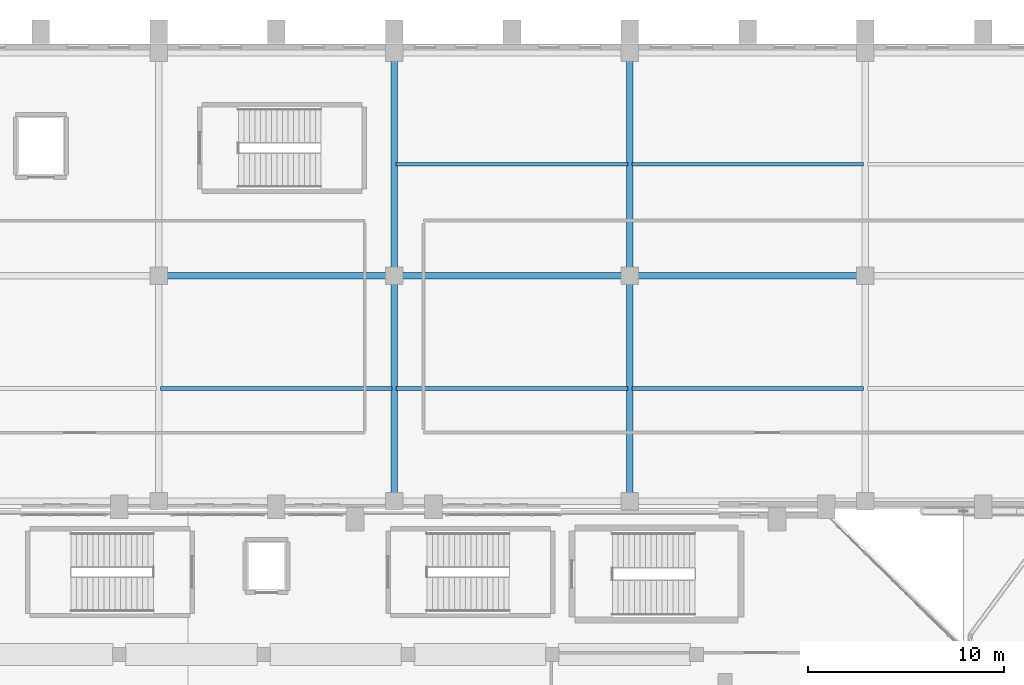
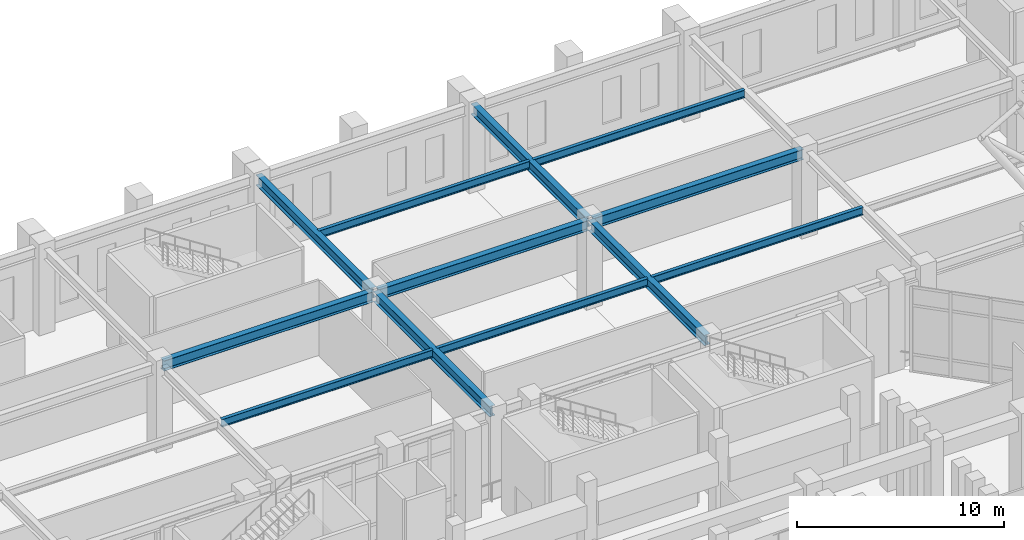
# One storey, part 57 of 159: 12 beams.
"""IFC4 building model written with IfcOpenShell, lengths in metres."""

from ifc_helpers import new_model, si_unit, derived_unit, direction, frame, origin, origin_2d, place, context, subcontext, project, spatial, i_section, extrude, material, material_profile, profile_set, type_object, element, save


model = new_model("IFC4")

# Units and contexts
model_context = context("Model", 3, precision=1e-05, world=origin(), true_north=direction((0.0, 1.0)))
body_context = subcontext(model_context, "Body", "Model", "MODEL_VIEW")
ifc_project = project(units=[si_unit("LENGTHUNIT", "METRE"), si_unit("AREAUNIT", "SQUARE_METRE"), si_unit("VOLUMEUNIT", "CUBIC_METRE"), si_unit("PLANEANGLEUNIT", "RADIAN"), si_unit("MASSUNIT", "GRAM", prefix="KILO"), derived_unit("THERMALTRANSMITTANCEUNIT", [(si_unit("MASSUNIT", "GRAM", prefix="KILO"), 1), (si_unit("TIMEUNIT", "SECOND"), -3), (si_unit("THERMODYNAMICTEMPERATUREUNIT", "KELVIN"), -1)])], contexts=[model_context])

# Site, building, storey
site_placement = place(None, origin())
site = spatial("IfcSite", under=ifc_project, at=site_placement, CompositionType="ELEMENT")
building_placement = place(site_placement, origin())
building = spatial("IfcBuilding", under=site, at=building_placement, Name="Valcora Ridge Arena", CompositionType="ELEMENT")
storey_placement = place(building_placement, frame((0.0, 0.0, 6.0)))
storey = spatial("IfcBuildingStorey", under=building, at=storey_placement, Name="L01", CompositionType="ELEMENT", Elevation=6.0)

# Beams
ifc_material = material(Name="Steel ASTM A572 Grade 50", Category="steel")
ifc_material_profile_1 = material_profile(ifc_material, i_section(OverallWidth=0.324951171875, OverallDepth=0.612060546875, WebThickness=0.0126953125, FlangeThickness=0.01904296875, FilletRadius=0.01806640625, at=origin_2d()), Name="W24X104")
ifc_profile_set_1 = profile_set([ifc_material_profile_1], Name="Steel ASTM A572 Grade 50")
beam_type_1 = type_object("IfcBeamType", Name="TY-BEAM-G-W24X104-X", PredefinedType="BEAM", material=ifc_profile_set_1)
for number, where, z_axis, x_axis, name in (
    (1, (60.139892578125, 120.199951171875, 4.73388671875), (1.0, 0.0, 0.0), (0.0, 1.0, 0.0), "G-W24X104-X BEM-G-W24X104-X-0052"),
    (2, (72.139892578125, 120.199951171875, 4.73388671875), (1.0, 0.0, 0.0), (0.0, 1.0, 0.0), "G-W24X104-X BEM-G-W24X104-X-0053"),
    (3, (84.139892578125, 120.199951171875, 4.73388671875), (1.0, 0.0, 0.0), (0.0, 1.0, 0.0), "G-W24X104-X BEM-G-W24X104-X-0054"),
):
    element("IfcBeam", number, at=place(storey_placement, frame(where, z_axis=z_axis, x_axis=x_axis)), inside=storey, type_object=beam_type_1, Name=name, PredefinedType="BEAM", context=body_context, shape_type="SweptSolid", body=[
        extrude(i_section(OverallWidth=0.324951171875, OverallDepth=0.612060546875, WebThickness=0.0126953125, FlangeThickness=0.01904296875, FilletRadius=0.01806640625, at=origin_2d()), origin(), (0.0, 0.0, 1.0), 11.72021484375),
    ])
ifc_material_profile_2 = material_profile(ifc_material, i_section(OverallWidth=0.324951171875, OverallDepth=0.612060546875, WebThickness=0.0126953125, FlangeThickness=0.01904296875, FilletRadius=0.01806640625, at=origin_2d()), Name="W24X104")
ifc_profile_set_2 = profile_set([ifc_material_profile_2], Name="Steel ASTM A572 Grade 50")
beam_type_2 = type_object("IfcBeamType", Name="TY-BEAM-G-W24X104-Y", PredefinedType="BEAM", material=ifc_profile_set_2)
beam_1_placement = place(storey_placement, frame((72.0, 108.840087890625, 4.73388671875), z_axis=(0.0, 1.0, 0.0), x_axis=(-1.0, 0.0, 0.0)))
element("IfcBeam", 4, at=beam_1_placement, inside=storey, type_object=beam_type_2, Name="G-W24X104-Y BEM-G-W24X104-Y-0044", PredefinedType="BEAM", context=body_context, shape_type="SweptSolid", body=[
    extrude(i_section(OverallWidth=0.324951171875, OverallDepth=0.612060546875, WebThickness=0.0126953125, FlangeThickness=0.01904296875, FilletRadius=0.01806640625, at=origin_2d()), origin(), (0.0, 0.0, 1.0), 11.219970703125),
])
beam_2_placement = place(storey_placement, frame((72.0, 120.340087890625, 4.73388671875), z_axis=(0.0, 1.0, 0.0), x_axis=(-1.0, 0.0, 0.0)))
element("IfcBeam", 5, at=beam_2_placement, inside=storey, type_object=beam_type_2, Name="G-W24X104-Y BEM-G-W24X104-Y-0045", PredefinedType="BEAM", context=body_context, shape_type="SweptSolid", body=[
    extrude(i_section(OverallWidth=0.324951171875, OverallDepth=0.612060546875, WebThickness=0.0126953125, FlangeThickness=0.01904296875, FilletRadius=0.01806640625, at=origin_2d()), origin(), (0.0, 0.0, 1.0), 11.06982421875),
])
beam_3_placement = place(storey_placement, frame((84.0, 108.840087890625, 4.73388671875), z_axis=(0.0, 1.0, 0.0), x_axis=(-1.0, 0.0, 0.0)))
element("IfcBeam", 6, at=beam_3_placement, inside=storey, type_object=beam_type_2, Name="G-W24X104-Y BEM-G-W24X104-Y-0046", PredefinedType="BEAM", context=body_context, shape_type="SweptSolid", body=[
    extrude(i_section(OverallWidth=0.324951171875, OverallDepth=0.612060546875, WebThickness=0.0126953125, FlangeThickness=0.01904296875, FilletRadius=0.01806640625, at=origin_2d()), origin(), (0.0, 0.0, 1.0), 11.219970703125),
])
beam_4_placement = place(storey_placement, frame((84.0, 120.340087890625, 4.73388671875), z_axis=(0.0, 1.0, 0.0), x_axis=(-1.0, 0.0, 0.0)))
element("IfcBeam", 7, at=beam_4_placement, inside=storey, type_object=beam_type_2, Name="G-W24X104-Y BEM-G-W24X104-Y-0047", PredefinedType="BEAM", context=body_context, shape_type="SweptSolid", body=[
    extrude(i_section(OverallWidth=0.324951171875, OverallDepth=0.612060546875, WebThickness=0.0126953125, FlangeThickness=0.01904296875, FilletRadius=0.01806640625, at=origin_2d()), origin(), (0.0, 0.0, 1.0), 11.06982421875),
])
ifc_material_profile_3 = material_profile(ifc_material, i_section(OverallWidth=0.18994140625, OverallDepth=0.45703125, WebThickness=0.009033203125, FlangeThickness=0.014404296875, FilletRadius=0.014892578125, at=origin_2d()), Name="W18X50")
ifc_profile_set_3 = profile_set([ifc_material_profile_3], Name="Steel ASTM A572 Grade 50")
beam_type_3 = type_object("IfcBeamType", Name="TY-BEAM-J-W18X50", PredefinedType="JOIST", material=ifc_profile_set_3)
for number, where, z_axis, x_axis, name in (
    (8, (60.10009765625, 114.449951171875, 4.8115234375), (1.0, 0.0, 0.0), (0.0, 1.0, 0.0), "J-W18X50 BEM-J-W18X50-0030"),
    (9, (72.10009765625, 114.449951171875, 4.8115234375), (1.0, 0.0, 0.0), (0.0, 1.0, 0.0), "J-W18X50 BEM-J-W18X50-0031"),
    (10, (72.10009765625, 125.875, 4.8115234375), (1.0, 0.0, 0.0), (0.0, 1.0, 0.0), "J-W18X50 BEM-J-W18X50-0032"),
    (11, (84.10009765625, 114.449951171875, 4.8115234375), (1.0, 0.0, 0.0), (0.0, 1.0, 0.0), "J-W18X50 BEM-J-W18X50-0033"),
    (12, (84.10009765625, 125.875, 4.8115234375), (1.0, 0.0, 0.0), (0.0, 1.0, 0.0), "J-W18X50 BEM-J-W18X50-0034"),
):
    element("IfcBeam", number, at=place(storey_placement, frame(where, z_axis=z_axis, x_axis=x_axis)), inside=storey, type_object=beam_type_3, Name=name, PredefinedType="JOIST", context=body_context, shape_type="SweptSolid", body=[
        extrude(i_section(OverallWidth=0.18994140625, OverallDepth=0.45703125, WebThickness=0.009033203125, FlangeThickness=0.014404296875, FilletRadius=0.014892578125, at=origin_2d()), origin(), (0.0, 0.0, 1.0), 11.7998046875),
    ])

save(model, "model.ifc")
